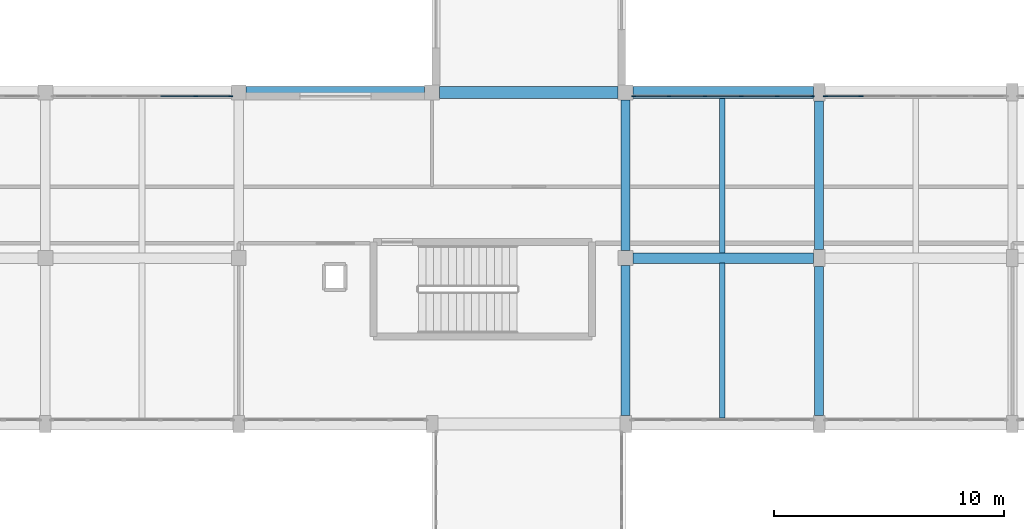
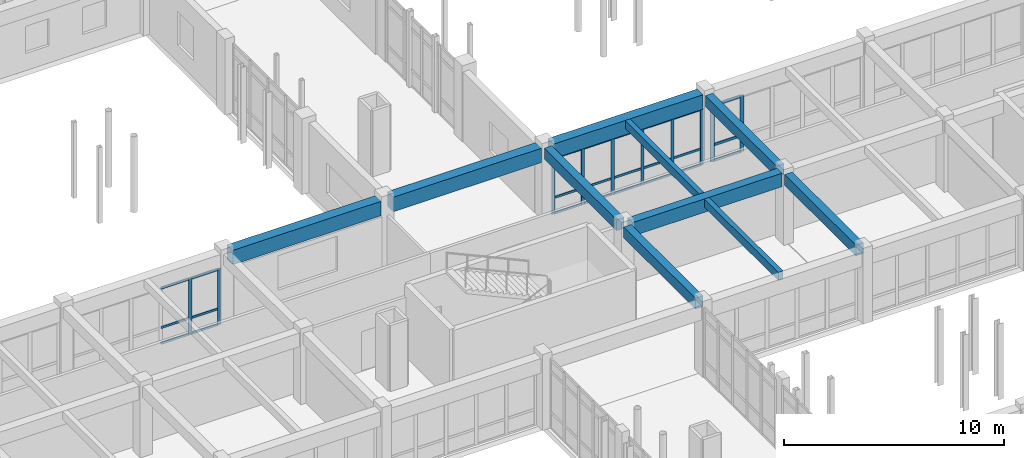
# One storey, part 68 of 147: 34 members, 10 beams, 3 elements without a shape of their own.
"""IFC4 building model written with IfcOpenShell, lengths in metres."""

from ifc_helpers import new_model, si_unit, direction, frame, origin, origin_2d, place, context, subcontext, project, spatial, rectangle, extrude, material, material_profile, profile_set, type_object, element, aggregate, save


model = new_model("IFC4")

# Units and contexts
model_context = context("Model", 3, precision=1e-05, world=origin(), true_north=direction((0.0, 1.0)))
body_context = subcontext(model_context, "Body", "Model", "MODEL_VIEW")
ifc_project = project(units=[si_unit("LENGTHUNIT", "METRE"), si_unit("AREAUNIT", "SQUARE_METRE"), si_unit("VOLUMEUNIT", "CUBIC_METRE"), si_unit("PLANEANGLEUNIT", "RADIAN"), si_unit("MASSUNIT", "GRAM", prefix="KILO")], contexts=[model_context])

# Site, building, storey
site_placement = place(None, origin())
site = spatial("IfcSite", under=ifc_project, at=site_placement, CompositionType="ELEMENT")
building_placement = place(site_placement, origin())
building = spatial("IfcBuilding", under=site, at=building_placement, Name="Malvenik Polytechnic", CompositionType="ELEMENT")
storey_placement = place(building_placement, frame((0.0, 0.0, 5.10009765625)))
storey = spatial("IfcBuildingStorey", under=building, at=storey_placement, Name="L01", CompositionType="ELEMENT", Elevation=5.10009765625)

# Curtain wall, members
ifc_material_1 = material(Name="Anodised aluminium 6060-T6", Category="aluminium")
curtain_wall_type = type_object("IfcCurtainWallType", Name="ARC-CW-CW-02", PredefinedType="NOTDEFINED", material=ifc_material_1)
curtain_wall_1_placement = place(storey_placement, origin())
curtain_wall_1 = element("IfcCurtainWall", 1, at=curtain_wall_1_placement, inside=storey, type_object=curtain_wall_type, Name="Unitised Curtain Wall CW-02 L01 #59", PredefinedType="NOTDEFINED")
ifc_material_2 = material(Name="Anodised aluminium", Category="aluminium")
ifc_material_profile_1 = material_profile(ifc_material_2, rectangle(XDim=0.06005859375, YDim=0.159912109375, at=origin_2d()), Name="ALU MULLION 60x160")
ifc_profile_set_1 = profile_set([ifc_material_profile_1], Name="Anodised aluminium")
member_type_1 = type_object("IfcMemberType", Name="ARC-CWM-160", PredefinedType="MULLION", material=ifc_profile_set_1)
member_1_placement = place(storey_placement, frame((84.35302734375, 93.429931640625, 0.0), z_axis=(0.0, 0.0, 1.0), x_axis=(0.0, 1.0, 0.0)))
member_1 = element("IfcMember", 2, at=member_1_placement, type_object=member_type_1, Name="CW-02 mullion 1", PredefinedType="MULLION", context=body_context, shape_type="SweptSolid", body=[
    extrude(rectangle(XDim=0.06005859375, YDim=0.159912109375, at=origin_2d()), origin(), (0.0, 0.0, 1.0), 3.10986328125),
])
member_2_placement = place(storey_placement, frame((85.888916015625, 93.429931640625, 0.0), z_axis=(0.0, 0.0, 1.0), x_axis=(0.0, 1.0, 0.0)))
member_2 = element("IfcMember", 3, at=member_2_placement, type_object=member_type_1, Name="CW-02 mullion 2", PredefinedType="MULLION", context=body_context, shape_type="SweptSolid", body=[
    extrude(rectangle(XDim=0.06005859375, YDim=0.159912109375, at=origin_2d()), origin(), (0.0, 0.0, 1.0), 3.10986328125),
])
member_3_placement = place(storey_placement, frame((87.45458984375, 93.429931640625, 0.0), z_axis=(0.0, 0.0, 1.0), x_axis=(0.0, 1.0, 0.0)))
member_3 = element("IfcMember", 4, at=member_3_placement, type_object=member_type_1, Name="CW-02 mullion 3", PredefinedType="MULLION", context=body_context, shape_type="SweptSolid", body=[
    extrude(rectangle(XDim=0.06005859375, YDim=0.159912109375, at=origin_2d()), origin(), (0.0, 0.0, 1.0), 3.10986328125),
])
member_4_placement = place(storey_placement, frame((89.0205078125, 93.429931640625, 0.0), z_axis=(0.0, 0.0, 1.0), x_axis=(0.0, 1.0, 0.0)))
member_4 = element("IfcMember", 5, at=member_4_placement, type_object=member_type_1, Name="CW-02 mullion 4", PredefinedType="MULLION", context=body_context, shape_type="SweptSolid", body=[
    extrude(rectangle(XDim=0.06005859375, YDim=0.159912109375, at=origin_2d()), origin(), (0.0, 0.0, 1.0), 3.10986328125),
])
member_5_placement = place(storey_placement, frame((90.586181640625, 93.429931640625, 0.0), z_axis=(0.0, 0.0, 1.0), x_axis=(0.0, 1.0, 0.0)))
member_5 = element("IfcMember", 6, at=member_5_placement, type_object=member_type_1, Name="CW-02 mullion 5", PredefinedType="MULLION", context=body_context, shape_type="SweptSolid", body=[
    extrude(rectangle(XDim=0.06005859375, YDim=0.159912109375, at=origin_2d()), origin(), (0.0, 0.0, 1.0), 3.10986328125),
])
member_6_placement = place(storey_placement, frame((92.1220703125, 93.429931640625, 0.0), z_axis=(0.0, 0.0, 1.0), x_axis=(0.0, 1.0, 0.0)))
member_6 = element("IfcMember", 7, at=member_6_placement, type_object=member_type_1, Name="CW-02 mullion 6", PredefinedType="MULLION", context=body_context, shape_type="SweptSolid", body=[
    extrude(rectangle(XDim=0.06005859375, YDim=0.159912109375, at=origin_2d()), origin(), (0.0, 0.0, 1.0), 3.10986328125),
])

curtain_wall_2_placement = place(storey_placement, origin())
curtain_wall_2 = element("IfcCurtainWall", 8, at=curtain_wall_2_placement, inside=storey, type_object=curtain_wall_type, Name="Unitised Curtain Wall CW-02 L01 #37", PredefinedType="NOTDEFINED")
ifc_material_profile_2 = material_profile(ifc_material_2, rectangle(XDim=0.06005859375, YDim=0.179931640625, at=origin_2d()), Name="ALU MULLION 60x180")
ifc_profile_set_2 = profile_set([ifc_material_profile_2], Name="Anodised aluminium")
member_type_2 = type_object("IfcMemberType", Name="ARC-CWM-180", PredefinedType="MULLION", material=ifc_profile_set_2)
member_7_placement = place(storey_placement, frame((65.326171875, 93.429931640625, 0.0), z_axis=(0.0, 0.0, 1.0), x_axis=(0.0, 1.0, 0.0)))
member_7 = element("IfcMember", 9, at=member_7_placement, type_object=member_type_2, Name="CW-02 mullion 5", PredefinedType="MULLION", context=body_context, shape_type="SweptSolid", body=[
    extrude(rectangle(XDim=0.06005859375, YDim=0.179931640625, at=origin_2d()), origin(), (0.0, 0.0, 1.0), 3.10986328125),
])
member_8_placement = place(storey_placement, frame((66.846923828125, 93.429931640625, 0.0), z_axis=(0.0, 0.0, 1.0), x_axis=(0.0, 1.0, 0.0)))
member_8 = element("IfcMember", 10, at=member_8_placement, type_object=member_type_2, Name="CW-02 mullion 6", PredefinedType="MULLION", context=body_context, shape_type="SweptSolid", body=[
    extrude(rectangle(XDim=0.06005859375, YDim=0.179931640625, at=origin_2d()), origin(), (0.0, 0.0, 1.0), 3.10986328125),
])

curtain_wall_3_placement = place(storey_placement, origin())
curtain_wall_3 = element("IfcCurtainWall", 11, at=curtain_wall_3_placement, inside=storey, type_object=curtain_wall_type, Name="Unitised Curtain Wall CW-02 L01 #60", PredefinedType="NOTDEFINED")
ifc_material_profile_3 = material_profile(ifc_material_2, rectangle(XDim=0.06005859375, YDim=0.199951171875, at=origin_2d()), Name="ALU MULLION 60x200")
ifc_profile_set_3 = profile_set([ifc_material_profile_3], Name="Anodised aluminium")
member_type_3 = type_object("IfcMemberType", Name="ARC-CWM-200", PredefinedType="MULLION", material=ifc_profile_set_3)
member_9_placement = place(storey_placement, frame((92.677978515625, 93.429931640625, 0.0), z_axis=(0.0, 0.0, 1.0), x_axis=(0.0, 1.0, 0.0)))
member_9 = element("IfcMember", 12, at=member_9_placement, type_object=member_type_3, Name="CW-02 mullion 1", PredefinedType="MULLION", context=body_context, shape_type="SweptSolid", body=[
    extrude(rectangle(XDim=0.06005859375, YDim=0.199951171875, at=origin_2d()), origin(), (0.0, 0.0, 1.0), 3.10986328125),
])
member_10_placement = place(storey_placement, frame((94.228759765625, 93.429931640625, 0.0), z_axis=(0.0, 0.0, 1.0), x_axis=(0.0, 1.0, 0.0)))
member_10 = element("IfcMember", 13, at=member_10_placement, type_object=member_type_3, Name="CW-02 mullion 2", PredefinedType="MULLION", context=body_context, shape_type="SweptSolid", body=[
    extrude(rectangle(XDim=0.06005859375, YDim=0.199951171875, at=origin_2d()), origin(), (0.0, 0.0, 1.0), 3.10986328125),
])

# Member
ifc_material_profile_4 = material_profile(ifc_material_2, rectangle(XDim=0.06005859375, YDim=0.1201171875, at=origin_2d()), Name="ALU TRANSOM 60x120")
ifc_profile_set_4 = profile_set([ifc_material_profile_4], Name="Anodised aluminium")
member_type_4 = type_object("IfcMemberType", Name="ARC-CWT-120", PredefinedType="USERDEFINED", material=ifc_profile_set_4)
member_11_placement = place(storey_placement, frame((63.805419921875, 93.429931640625, 0.02978515625), z_axis=(1.0, 0.0, 0.0), x_axis=(0.0, 1.0, 0.0)))
member_11 = element("IfcMember", 14, at=member_11_placement, type_object=member_type_4, Name="CW-02 transom 4.1", ObjectType="TRANSOM", PredefinedType="USERDEFINED", context=body_context, shape_type="SweptSolid", body=[
    extrude(rectangle(XDim=0.06005859375, YDim=0.1201171875, at=origin_2d()), origin(), (0.0, 0.0, 1.0), 1.49072265625),
])

member_12_placement = place(storey_placement, frame((63.805419921875, 93.429931640625, 0.89990234375), z_axis=(1.0, 0.0, 0.0), x_axis=(0.0, 1.0, 0.0)))
member_12 = element("IfcMember", 15, at=member_12_placement, type_object=member_type_4, Name="CW-02 transom 4.2", ObjectType="TRANSOM", PredefinedType="USERDEFINED", context=body_context, shape_type="SweptSolid", body=[
    extrude(rectangle(XDim=0.06005859375, YDim=0.1201171875, at=origin_2d()), origin(), (0.0, 0.0, 1.0), 1.49072265625),
])

member_13_placement = place(storey_placement, frame((63.805419921875, 93.429931640625, 3.079833984375), z_axis=(1.0, 0.0, 0.0), x_axis=(0.0, 1.0, 0.0)))
member_13 = element("IfcMember", 16, at=member_13_placement, type_object=member_type_4, Name="CW-02 transom 4.3", ObjectType="TRANSOM", PredefinedType="USERDEFINED", context=body_context, shape_type="SweptSolid", body=[
    extrude(rectangle(XDim=0.06005859375, YDim=0.1201171875, at=origin_2d()), origin(), (0.0, 0.0, 1.0), 1.49072265625),
])

member_14_placement = place(storey_placement, frame((65.356201171875, 93.429931640625, 0.02978515625), z_axis=(1.0, 0.0, 0.0), x_axis=(0.0, 1.0, 0.0)))
member_14 = element("IfcMember", 17, at=member_14_placement, type_object=member_type_4, Name="CW-02 transom 5.1", ObjectType="TRANSOM", PredefinedType="USERDEFINED", context=body_context, shape_type="SweptSolid", body=[
    extrude(rectangle(XDim=0.06005859375, YDim=0.1201171875, at=origin_2d()), origin(), (0.0, 0.0, 1.0), 1.460693359375),
])

member_15_placement = place(storey_placement, frame((65.356201171875, 93.429931640625, 0.89990234375), z_axis=(1.0, 0.0, 0.0), x_axis=(0.0, 1.0, 0.0)))
member_15 = element("IfcMember", 18, at=member_15_placement, type_object=member_type_4, Name="CW-02 transom 5.2", ObjectType="TRANSOM", PredefinedType="USERDEFINED", context=body_context, shape_type="SweptSolid", body=[
    extrude(rectangle(XDim=0.06005859375, YDim=0.1201171875, at=origin_2d()), origin(), (0.0, 0.0, 1.0), 1.460693359375),
])

member_16_placement = place(storey_placement, frame((65.356201171875, 93.429931640625, 3.079833984375), z_axis=(1.0, 0.0, 0.0), x_axis=(0.0, 1.0, 0.0)))
member_16 = element("IfcMember", 19, at=member_16_placement, type_object=member_type_4, Name="CW-02 transom 5.3", ObjectType="TRANSOM", PredefinedType="USERDEFINED", context=body_context, shape_type="SweptSolid", body=[
    extrude(rectangle(XDim=0.06005859375, YDim=0.1201171875, at=origin_2d()), origin(), (0.0, 0.0, 1.0), 1.460693359375),
])

aggregate(curtain_wall_2, [member_7, member_8, member_11, member_12, member_13, member_14, member_15, member_16])

member_17_placement = place(storey_placement, frame((84.383056640625, 93.429931640625, 0.02978515625), z_axis=(1.0, 0.0, 0.0), x_axis=(0.0, 1.0, 0.0)))
member_17 = element("IfcMember", 20, at=member_17_placement, type_object=member_type_4, Name="CW-02 transom 1.1", ObjectType="TRANSOM", PredefinedType="USERDEFINED", context=body_context, shape_type="SweptSolid", body=[
    extrude(rectangle(XDim=0.06005859375, YDim=0.1201171875, at=origin_2d()), origin(), (0.0, 0.0, 1.0), 1.475830078125),
])

member_18_placement = place(storey_placement, frame((84.383056640625, 93.429931640625, 0.89990234375), z_axis=(1.0, 0.0, 0.0), x_axis=(0.0, 1.0, 0.0)))
member_18 = element("IfcMember", 21, at=member_18_placement, type_object=member_type_4, Name="CW-02 transom 1.2", ObjectType="TRANSOM", PredefinedType="USERDEFINED", context=body_context, shape_type="SweptSolid", body=[
    extrude(rectangle(XDim=0.06005859375, YDim=0.1201171875, at=origin_2d()), origin(), (0.0, 0.0, 1.0), 1.475830078125),
])

member_19_placement = place(storey_placement, frame((84.383056640625, 93.429931640625, 3.079833984375), z_axis=(1.0, 0.0, 0.0), x_axis=(0.0, 1.0, 0.0)))
member_19 = element("IfcMember", 22, at=member_19_placement, type_object=member_type_4, Name="CW-02 transom 1.3", ObjectType="TRANSOM", PredefinedType="USERDEFINED", context=body_context, shape_type="SweptSolid", body=[
    extrude(rectangle(XDim=0.06005859375, YDim=0.1201171875, at=origin_2d()), origin(), (0.0, 0.0, 1.0), 1.475830078125),
])

member_20_placement = place(storey_placement, frame((85.918701171875, 93.429931640625, 0.02978515625), z_axis=(1.0, 0.0, 0.0), x_axis=(0.0, 1.0, 0.0)))
member_20 = element("IfcMember", 23, at=member_20_placement, type_object=member_type_4, Name="CW-02 transom 2.1", ObjectType="TRANSOM", PredefinedType="USERDEFINED", context=body_context, shape_type="SweptSolid", body=[
    extrude(rectangle(XDim=0.06005859375, YDim=0.1201171875, at=origin_2d()), origin(), (0.0, 0.0, 1.0), 1.505859375),
])

member_21_placement = place(storey_placement, frame((85.918701171875, 93.429931640625, 0.89990234375), z_axis=(1.0, 0.0, 0.0), x_axis=(0.0, 1.0, 0.0)))
member_21 = element("IfcMember", 24, at=member_21_placement, type_object=member_type_4, Name="CW-02 transom 2.2", ObjectType="TRANSOM", PredefinedType="USERDEFINED", context=body_context, shape_type="SweptSolid", body=[
    extrude(rectangle(XDim=0.06005859375, YDim=0.1201171875, at=origin_2d()), origin(), (0.0, 0.0, 1.0), 1.505859375),
])

member_22_placement = place(storey_placement, frame((85.918701171875, 93.429931640625, 3.079833984375), z_axis=(1.0, 0.0, 0.0), x_axis=(0.0, 1.0, 0.0)))
member_22 = element("IfcMember", 25, at=member_22_placement, type_object=member_type_4, Name="CW-02 transom 2.3", ObjectType="TRANSOM", PredefinedType="USERDEFINED", context=body_context, shape_type="SweptSolid", body=[
    extrude(rectangle(XDim=0.06005859375, YDim=0.1201171875, at=origin_2d()), origin(), (0.0, 0.0, 1.0), 1.505859375),
])

member_23_placement = place(storey_placement, frame((87.484619140625, 93.429931640625, 0.02978515625), z_axis=(1.0, 0.0, 0.0), x_axis=(0.0, 1.0, 0.0)))
member_23 = element("IfcMember", 26, at=member_23_placement, type_object=member_type_4, Name="CW-02 transom 3.1", ObjectType="TRANSOM", PredefinedType="USERDEFINED", context=body_context, shape_type="SweptSolid", body=[
    extrude(rectangle(XDim=0.06005859375, YDim=0.1201171875, at=origin_2d()), origin(), (0.0, 0.0, 1.0), 1.505859375),
])

member_24_placement = place(storey_placement, frame((87.484619140625, 93.429931640625, 0.89990234375), z_axis=(1.0, 0.0, 0.0), x_axis=(0.0, 1.0, 0.0)))
member_24 = element("IfcMember", 27, at=member_24_placement, type_object=member_type_4, Name="CW-02 transom 3.2", ObjectType="TRANSOM", PredefinedType="USERDEFINED", context=body_context, shape_type="SweptSolid", body=[
    extrude(rectangle(XDim=0.06005859375, YDim=0.1201171875, at=origin_2d()), origin(), (0.0, 0.0, 1.0), 1.505859375),
])

member_25_placement = place(storey_placement, frame((87.484619140625, 93.429931640625, 3.079833984375), z_axis=(1.0, 0.0, 0.0), x_axis=(0.0, 1.0, 0.0)))
member_25 = element("IfcMember", 28, at=member_25_placement, type_object=member_type_4, Name="CW-02 transom 3.3", ObjectType="TRANSOM", PredefinedType="USERDEFINED", context=body_context, shape_type="SweptSolid", body=[
    extrude(rectangle(XDim=0.06005859375, YDim=0.1201171875, at=origin_2d()), origin(), (0.0, 0.0, 1.0), 1.505859375),
])

member_26_placement = place(storey_placement, frame((89.05029296875, 93.429931640625, 0.02978515625), z_axis=(1.0, 0.0, 0.0), x_axis=(0.0, 1.0, 0.0)))
member_26 = element("IfcMember", 29, at=member_26_placement, type_object=member_type_4, Name="CW-02 transom 4.1", ObjectType="TRANSOM", PredefinedType="USERDEFINED", context=body_context, shape_type="SweptSolid", body=[
    extrude(rectangle(XDim=0.06005859375, YDim=0.1201171875, at=origin_2d()), origin(), (0.0, 0.0, 1.0), 1.505859375),
])

member_27_placement = place(storey_placement, frame((89.05029296875, 93.429931640625, 0.89990234375), z_axis=(1.0, 0.0, 0.0), x_axis=(0.0, 1.0, 0.0)))
member_27 = element("IfcMember", 30, at=member_27_placement, type_object=member_type_4, Name="CW-02 transom 4.2", ObjectType="TRANSOM", PredefinedType="USERDEFINED", context=body_context, shape_type="SweptSolid", body=[
    extrude(rectangle(XDim=0.06005859375, YDim=0.1201171875, at=origin_2d()), origin(), (0.0, 0.0, 1.0), 1.505859375),
])

member_28_placement = place(storey_placement, frame((89.05029296875, 93.429931640625, 3.079833984375), z_axis=(1.0, 0.0, 0.0), x_axis=(0.0, 1.0, 0.0)))
member_28 = element("IfcMember", 31, at=member_28_placement, type_object=member_type_4, Name="CW-02 transom 4.3", ObjectType="TRANSOM", PredefinedType="USERDEFINED", context=body_context, shape_type="SweptSolid", body=[
    extrude(rectangle(XDim=0.06005859375, YDim=0.1201171875, at=origin_2d()), origin(), (0.0, 0.0, 1.0), 1.505859375),
])

member_29_placement = place(storey_placement, frame((90.6162109375, 93.429931640625, 0.02978515625), z_axis=(1.0, 0.0, 0.0), x_axis=(0.0, 1.0, 0.0)))
member_29 = element("IfcMember", 32, at=member_29_placement, type_object=member_type_4, Name="CW-02 transom 5.1", ObjectType="TRANSOM", PredefinedType="USERDEFINED", context=body_context, shape_type="SweptSolid", body=[
    extrude(rectangle(XDim=0.06005859375, YDim=0.1201171875, at=origin_2d()), origin(), (0.0, 0.0, 1.0), 1.475830078125),
])

member_30_placement = place(storey_placement, frame((90.6162109375, 93.429931640625, 0.89990234375), z_axis=(1.0, 0.0, 0.0), x_axis=(0.0, 1.0, 0.0)))
member_30 = element("IfcMember", 33, at=member_30_placement, type_object=member_type_4, Name="CW-02 transom 5.2", ObjectType="TRANSOM", PredefinedType="USERDEFINED", context=body_context, shape_type="SweptSolid", body=[
    extrude(rectangle(XDim=0.06005859375, YDim=0.1201171875, at=origin_2d()), origin(), (0.0, 0.0, 1.0), 1.475830078125),
])

member_31_placement = place(storey_placement, frame((90.6162109375, 93.429931640625, 3.079833984375), z_axis=(1.0, 0.0, 0.0), x_axis=(0.0, 1.0, 0.0)))
member_31 = element("IfcMember", 34, at=member_31_placement, type_object=member_type_4, Name="CW-02 transom 5.3", ObjectType="TRANSOM", PredefinedType="USERDEFINED", context=body_context, shape_type="SweptSolid", body=[
    extrude(rectangle(XDim=0.06005859375, YDim=0.1201171875, at=origin_2d()), origin(), (0.0, 0.0, 1.0), 1.475830078125),
])

aggregate(curtain_wall_1, [member_1, member_2, member_3, member_4, member_5, member_6, member_17, member_18, member_19, member_20, member_21, member_22, member_23, member_24, member_25, member_26, member_27, member_28, member_29, member_30, member_31])

ifc_material_profile_5 = material_profile(ifc_material_2, rectangle(XDim=0.06005859375, YDim=0.139892578125, at=origin_2d()), Name="ALU TRANSOM 60x140")
ifc_profile_set_5 = profile_set([ifc_material_profile_5], Name="Anodised aluminium")
member_type_5 = type_object("IfcMemberType", Name="ARC-CWT-140", PredefinedType="USERDEFINED", material=ifc_profile_set_5)
member_32_placement = place(storey_placement, frame((92.7080078125, 93.429931640625, 0.02978515625), z_axis=(1.0, 0.0, 0.0), x_axis=(0.0, 1.0, 0.0)))
member_32 = element("IfcMember", 35, at=member_32_placement, type_object=member_type_5, Name="CW-02 transom 1.1", ObjectType="TRANSOM", PredefinedType="USERDEFINED", context=body_context, shape_type="SweptSolid", body=[
    extrude(rectangle(XDim=0.06005859375, YDim=0.139892578125, at=origin_2d()), origin(), (0.0, 0.0, 1.0), 1.49072265625),
])

member_33_placement = place(storey_placement, frame((92.7080078125, 93.429931640625, 0.89990234375), z_axis=(1.0, 0.0, 0.0), x_axis=(0.0, 1.0, 0.0)))
member_33 = element("IfcMember", 36, at=member_33_placement, type_object=member_type_5, Name="CW-02 transom 1.2", ObjectType="TRANSOM", PredefinedType="USERDEFINED", context=body_context, shape_type="SweptSolid", body=[
    extrude(rectangle(XDim=0.06005859375, YDim=0.139892578125, at=origin_2d()), origin(), (0.0, 0.0, 1.0), 1.49072265625),
])

member_34_placement = place(storey_placement, frame((92.7080078125, 93.429931640625, 3.079833984375), z_axis=(1.0, 0.0, 0.0), x_axis=(0.0, 1.0, 0.0)))
member_34 = element("IfcMember", 37, at=member_34_placement, type_object=member_type_5, Name="CW-02 transom 1.3", ObjectType="TRANSOM", PredefinedType="USERDEFINED", context=body_context, shape_type="SweptSolid", body=[
    extrude(rectangle(XDim=0.06005859375, YDim=0.139892578125, at=origin_2d()), origin(), (0.0, 0.0, 1.0), 1.49072265625),
])

aggregate(curtain_wall_3, [member_9, member_10, member_32, member_33, member_34])

# Beams
ifc_material_3 = material(Name="Concrete C35/45", Category="concrete")
ifc_material_profile_6 = material_profile(ifc_material_3, rectangle(XDim=0.449951171875, YDim=0.75, at=origin_2d()), Name="RC BM 450x750")
ifc_profile_set_6 = profile_set([ifc_material_profile_6], Name="Concrete C35/45")
beam_type_1 = type_object("IfcBeamType", Name="STR-BM-B-03", PredefinedType="BEAM", material=ifc_profile_set_6)
beam_1_placement = place(storey_placement, frame((84.322998046875, 86.39990234375, 3.544921875), z_axis=(1.0, 0.0, 0.0), x_axis=(0.0, 1.0, 0.0)))
element("IfcBeam", 38, at=beam_1_placement, inside=storey, type_object=beam_type_1, Name="Primary Beam B-03 L01 #1063", PredefinedType="BEAM", context=body_context, shape_type="SweptSolid", body=[
    extrude(rectangle(XDim=0.449951171875, YDim=0.75, at=origin_2d()), origin(), (0.0, 0.0, 1.0), 7.8291015625),
])
ifc_material_profile_7 = material_profile(ifc_material_3, rectangle(XDim=0.39990234375, YDim=0.60009765625, at=origin_2d()), Name="RC BM 400x600")
ifc_profile_set_7 = profile_set([ifc_material_profile_7], Name="Concrete C35/45")
beam_type_2 = type_object("IfcBeamType", Name="STR-BM-B-06", PredefinedType="BEAM", material=ifc_profile_set_7)
beam_2_placement = place(storey_placement, frame((84.0, 79.572998046875, 3.619873046875), z_axis=(0.0, 1.0, 0.0), x_axis=(-1.0, 0.0, 0.0)))
element("IfcBeam", 39, at=beam_2_placement, inside=storey, type_object=beam_type_2, Name="Transverse Beam B-06 L01 #1193", PredefinedType="BEAM", context=body_context, shape_type="SweptSolid", body=[
    extrude(rectangle(XDim=0.39990234375, YDim=0.60009765625, at=origin_2d()), origin(), (0.0, 0.0, 1.0), 6.50390625),
])
beam_3_placement = place(storey_placement, frame((84.0, 86.722900390625, 3.619873046875), z_axis=(0.0, 1.0, 0.0), x_axis=(-1.0, 0.0, 0.0)))
element("IfcBeam", 40, at=beam_3_placement, inside=storey, type_object=beam_type_2, Name="Transverse Beam B-06 L01 #1194", PredefinedType="BEAM", context=body_context, shape_type="SweptSolid", body=[
    extrude(rectangle(XDim=0.39990234375, YDim=0.60009765625, at=origin_2d()), origin(), (0.0, 0.0, 1.0), 6.55419921875),
])
for number, where, z_axis, x_axis, name in (
    (41, (92.39990234375, 79.572998046875, 3.619873046875), (0.0, 1.0, 0.0), (-1.0, 0.0, 0.0), "Transverse Beam B-06 L01 #1203"),
    (42, (92.39990234375, 86.77294921875, 3.619873046875), (0.0, 1.0, 0.0), (-1.0, 0.0, 0.0), "Transverse Beam B-06 L01 #1204"),
):
    element("IfcBeam", number, at=place(storey_placement, frame(where, z_axis=z_axis, x_axis=x_axis)), inside=storey, type_object=beam_type_2, Name=name, PredefinedType="BEAM", context=body_context, shape_type="SweptSolid", body=[
        extrude(rectangle(XDim=0.39990234375, YDim=0.60009765625, at=origin_2d()), origin(), (0.0, 0.0, 1.0), 6.4541015625),
    ])
ifc_material_4 = material(Name="Concrete C30/37", Category="concrete")
ifc_material_profile_8 = material_profile(ifc_material_4, rectangle(XDim=0.25, YDim=0.449951171875, at=origin_2d()), Name="RC JST 250x450")
ifc_profile_set_8 = profile_set([ifc_material_profile_8], Name="Concrete C30/37")
beam_type_3 = type_object("IfcBeamType", Name="STR-BM-J-02", PredefinedType="JOIST", material=ifc_profile_set_8)
for number, where, z_axis, x_axis, name in (
    (43, (88.199951171875, 79.4580078125, 3.69482421875), (0.0, 1.0, 0.0), (-1.0, 0.0, 0.0), "Secondary Rib Joist J-02 L01 #1298"),
    (44, (88.199951171875, 86.623046875, 3.69482421875), (0.0, 1.0, 0.0), (-1.0, 0.0, 0.0), "Secondary Rib Joist J-02 L01 #1299"),
):
    element("IfcBeam", number, at=place(storey_placement, frame(where, z_axis=z_axis, x_axis=x_axis)), inside=storey, type_object=beam_type_3, Name=name, PredefinedType="JOIST", context=body_context, shape_type="SweptSolid", body=[
        extrude(rectangle(XDim=0.25, YDim=0.449951171875, at=origin_2d()), origin(), (0.0, 0.0, 1.0), 6.718994140625),
    ])
ifc_material_5 = material(Name="Precast concrete C40/50", Category="concrete")
ifc_material_profile_9 = material_profile(ifc_material_5, rectangle(XDim=0.52001953125, YDim=0.800048828125, at=origin_2d()), Name="PC SPN 520x800")
ifc_profile_set_9 = profile_set([ifc_material_profile_9], Name="Precast concrete C40/50")
beam_type_4 = type_object("IfcBeamType", Name="STR-BM-SP-01", PredefinedType="SPANDREL", material=ifc_profile_set_9)
beam_4_placement = place(storey_placement, frame((67.52294921875, 93.60009765625, 3.52001953125), z_axis=(1.0, 0.0, 0.0), x_axis=(0.0, 1.0, 0.0)))
element("IfcBeam", 45, at=beam_4_placement, inside=storey, type_object=beam_type_4, Name="Primary Beam SP-01 L01 #1077", PredefinedType="SPANDREL", context=body_context, shape_type="SweptSolid", body=[
    extrude(rectangle(XDim=0.52001953125, YDim=0.800048828125, at=origin_2d()), origin(), (0.0, 0.0, 1.0), 7.754150390625),
])
beam_5_placement = place(storey_placement, frame((75.923095703125, 93.60009765625, 3.52001953125), z_axis=(1.0, 0.0, 0.0), x_axis=(0.0, 1.0, 0.0)))
element("IfcBeam", 46, at=beam_5_placement, inside=storey, type_object=beam_type_4, Name="Primary Beam SP-01 L01 #1078", PredefinedType="SPANDREL", context=body_context, shape_type="SweptSolid", body=[
    extrude(rectangle(XDim=0.52001953125, YDim=0.800048828125, at=origin_2d()), origin(), (0.0, 0.0, 1.0), 7.75390625),
])
beam_6_placement = place(storey_placement, frame((84.322998046875, 93.60009765625, 3.52001953125), z_axis=(1.0, 0.0, 0.0), x_axis=(0.0, 1.0, 0.0)))
element("IfcBeam", 47, at=beam_6_placement, inside=storey, type_object=beam_type_4, Name="Primary Beam SP-01 L01 #1079", PredefinedType="SPANDREL", context=body_context, shape_type="SweptSolid", body=[
    extrude(rectangle(XDim=0.52001953125, YDim=0.800048828125, at=origin_2d()), origin(), (0.0, 0.0, 1.0), 7.8291015625),
])

save(model, "model.ifc")
